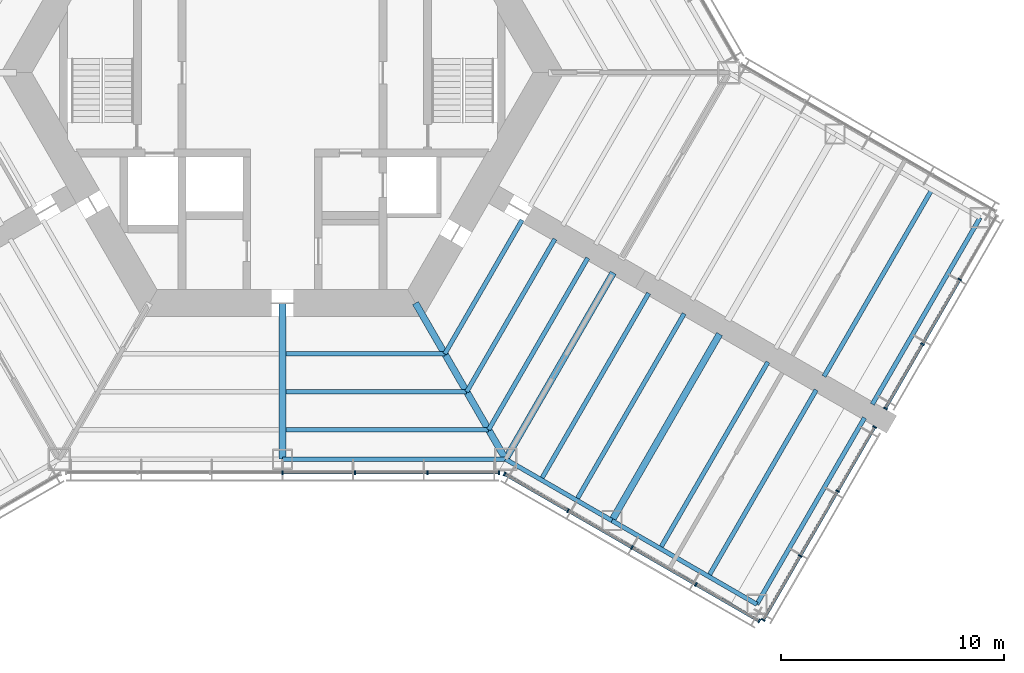
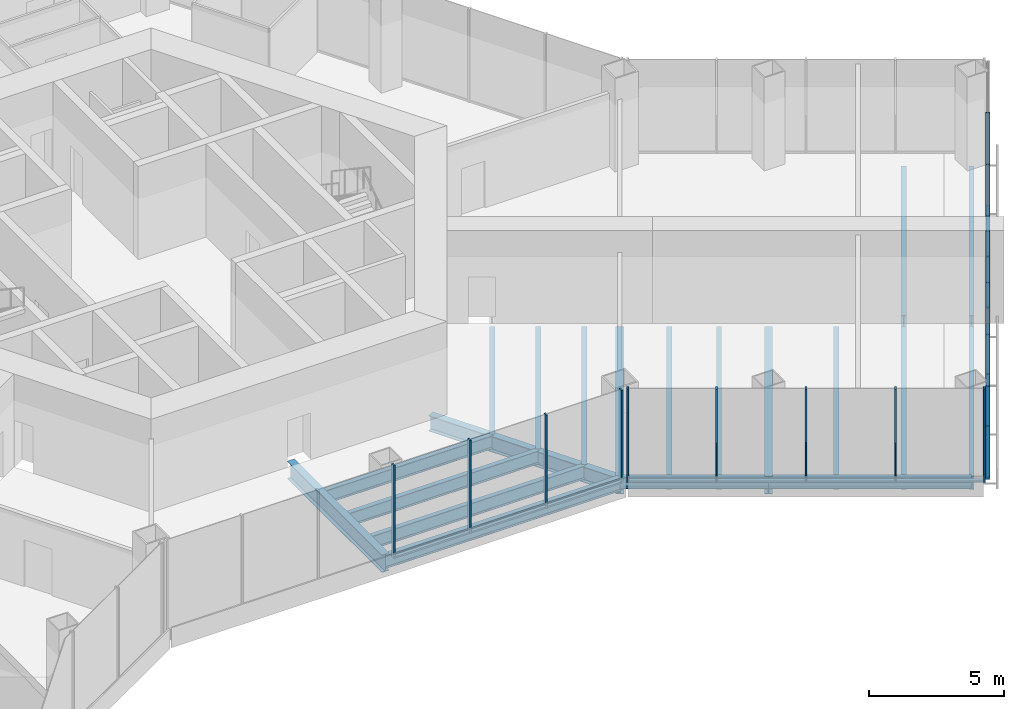
# One storey, part 4 of 16: 28 members, 20 beams, 4 elements without a shape of their own.
"""IFC4 building model written with IfcOpenShell, lengths in metres."""

from ifc_helpers import new_model, si_unit, direction, frame, origin, origin_2d, place, context, subcontext, project, spatial, rectangle, i_section, extrude, material, material_profile, profile_set, type_object, element, aggregate, save


model = new_model("IFC4")

# Units and contexts
model_context = context("Model", 3, precision=1e-05, world=origin(), true_north=direction((0.0, 1.0)))
body_context = subcontext(model_context, "Body", "Model", "MODEL_VIEW")
ifc_project = project(units=[si_unit("LENGTHUNIT", "METRE"), si_unit("AREAUNIT", "SQUARE_METRE"), si_unit("VOLUMEUNIT", "CUBIC_METRE"), si_unit("PLANEANGLEUNIT", "RADIAN"), si_unit("MASSUNIT", "GRAM", prefix="KILO")], contexts=[model_context])

# Site, building, storey
site_placement = place(None, origin())
site = spatial("IfcSite", under=ifc_project, at=site_placement, CompositionType="ELEMENT")
building_placement = place(site_placement, origin())
building = spatial("IfcBuilding", under=site, at=building_placement, Name="Kasaneha Research Tower", CompositionType="ELEMENT")
storey_placement = place(building_placement, frame((0.0, 0.0, 14.199951171875)))
storey = spatial("IfcBuildingStorey", under=building, at=storey_placement, Name="L04", CompositionType="ELEMENT", Elevation=14.199951171875)

# Beams
ifc_material_1 = material(Name="Steel SN490B", Category="steel")
ifc_material_profile_1 = material_profile(ifc_material_1, i_section(OverallWidth=0.199951171875, OverallDepth=0.60009765625, WebThickness=0.010986328125, FlangeThickness=0.01708984375, FilletRadius=0.012939453125, at=origin_2d()), Name="H-600x200x11x17")
ifc_profile_set_1 = profile_set([ifc_material_profile_1], Name="Steel SN490B")
beam_type_1 = type_object("IfcBeamType", Name="B1-1 secondary beam H-600x200x11x17", PredefinedType="JOIST", material=ifc_profile_set_1)
beam_1_placement = place(storey_placement, frame((7.274658203125, -12.60009765625, -0.5), z_axis=(-1.0, 0.0, 0.0), x_axis=(0.0, -1.0, 0.0)))
element("IfcBeam", 1, at=beam_1_placement, inside=storey, type_object=beam_type_1, Name="Secondary beam RS270R1 L04", PredefinedType="JOIST", context=body_context, shape_type="SweptSolid", body=[
    extrude(i_section(OverallWidth=0.199951171875, OverallDepth=0.60009765625, WebThickness=0.010986328125, FlangeThickness=0.01708984375, FilletRadius=0.012939453125, at=origin_2d()), origin(), (0.0, 0.0, 1.0), 7.124755859375),
])
beam_2_placement = place(storey_placement, frame((8.256103515625, -14.300048828125, -0.5), z_axis=(-1.0, 0.0, 0.0), x_axis=(0.0, -1.0, 0.0)))
element("IfcBeam", 2, at=beam_2_placement, inside=storey, type_object=beam_type_1, Name="Secondary beam RS270R2 L04", PredefinedType="JOIST", context=body_context, shape_type="SweptSolid", body=[
    extrude(i_section(OverallWidth=0.199951171875, OverallDepth=0.60009765625, WebThickness=0.010986328125, FlangeThickness=0.01708984375, FilletRadius=0.012939453125, at=origin_2d()), origin(), (0.0, 0.0, 1.0), 8.106201171875),
])
beam_3_placement = place(storey_placement, frame((9.237548828125, -16.0, -0.5), z_axis=(-1.0, 0.0, 0.0), x_axis=(0.0, -1.0, 0.0)))
element("IfcBeam", 3, at=beam_3_placement, inside=storey, type_object=beam_type_1, Name="Secondary beam RS270R3 L04", PredefinedType="JOIST", context=body_context, shape_type="SweptSolid", body=[
    extrude(i_section(OverallWidth=0.199951171875, OverallDepth=0.60009765625, WebThickness=0.010986328125, FlangeThickness=0.01708984375, FilletRadius=0.012939453125, at=origin_2d()), origin(), (0.0, 0.0, 1.0), 9.087646484375),
])
beam_4_placement = place(storey_placement, frame((7.274658203125, -12.60009765625, -0.5), z_axis=(0.499972710878, 0.866041158593, 0.0), x_axis=(-0.866041158593, 0.499972710878, 0.0)))
element("IfcBeam", 4, at=beam_4_placement, inside=storey, type_object=beam_type_1, Name="Secondary beam RS330L1 L04", PredefinedType="JOIST", context=body_context, shape_type="SweptSolid", body=[
    extrude(i_section(OverallWidth=0.199951171875, OverallDepth=0.60009765625, WebThickness=0.010986328125, FlangeThickness=0.01708984375, FilletRadius=0.012939453125, at=origin_2d()), origin(), (0.0, 0.0, 1.0), 6.9248046875),
])
beam_5_placement = place(storey_placement, frame((8.256103515625, -14.300048828125, -0.5), z_axis=(0.500004902938, 0.866022573054, 0.0), x_axis=(-0.866022573054, 0.500004902938, 0.0)))
element("IfcBeam", 5, at=beam_5_placement, inside=storey, type_object=beam_type_1, Name="Secondary beam RS330L2 L04", PredefinedType="JOIST", context=body_context, shape_type="SweptSolid", body=[
    extrude(i_section(OverallWidth=0.199951171875, OverallDepth=0.60009765625, WebThickness=0.010986328125, FlangeThickness=0.01708984375, FilletRadius=0.012939453125, at=origin_2d()), origin(), (0.0, 0.0, 1.0), 7.90625),
])
beam_6_placement = place(storey_placement, frame((9.237548828125, -16.0, -0.5), z_axis=(0.500009382636, 0.866019986649, 0.0), x_axis=(-0.866019986649, 0.500009382636, 0.0)))
element("IfcBeam", 6, at=beam_6_placement, inside=storey, type_object=beam_type_1, Name="Secondary beam RS330L3 L04", PredefinedType="JOIST", context=body_context, shape_type="SweptSolid", body=[
    extrude(i_section(OverallWidth=0.199951171875, OverallDepth=0.60009765625, WebThickness=0.010986328125, FlangeThickness=0.01708984375, FilletRadius=0.012939453125, at=origin_2d()), origin(), (0.0, 0.0, 1.0), 8.887451171875),
])
ifc_material_2 = material(Name="Steel SN490B", Category="steel")
ifc_material_profile_2 = material_profile(ifc_material_2, i_section(OverallWidth=0.198974609375, OverallDepth=0.595947265625, WebThickness=0.010009765625, FlangeThickness=0.014892578125, FilletRadius=0.012939453125, at=origin_2d()), Name="H-596x199x10x15")
ifc_profile_set_2 = profile_set([ifc_material_profile_2], Name="Steel SN490B")
beam_type_2 = type_object("IfcBeamType", Name="B2-1 secondary beam H-596x199x10x15", PredefinedType="JOIST", material=ifc_profile_set_2)
for number, where, z_axis, x_axis, name in (
    (7, (11.587646484375, -18.237060546875, -0.498046875), (0.50000569793, 0.866022114058, 0.0), (-0.866022114058, 0.50000569793, 0.0), "Secondary beam WBCP1 L04"),
    (8, (13.175537109375, -19.15380859375, -0.498046875), (0.499994742786, 0.866028439017, 0.0), (-0.866028439017, 0.499994742786, 0.0), "Secondary beam WBCP2 L04"),
    (9, (16.92822265625, -21.320556640625, -0.498046875), (0.499994742786, 0.866028439017, 0.0), (-0.866028439017, 0.499994742786, 0.0), "Secondary beam WBCP3 L04"),
    (10, (19.09326171875, -22.570556640625, -0.498046875), (0.499994742786, 0.866028439017, 0.0), (-0.866028439017, 0.499994742786, 0.0), "Secondary beam WBCP4 L04"),
    (11, (29.09326171875, -5.25, -0.498046875), (-0.499994742786, -0.866028439017, 0.0), (0.866028439017, -0.499994742786, 0.0), "Secondary beam WBCN4 L04"),
):
    element("IfcBeam", number, at=place(storey_placement, frame(where, z_axis=z_axis, x_axis=x_axis)), inside=storey, type_object=beam_type_2, Name=name, PredefinedType="JOIST", context=body_context, shape_type="SweptSolid", body=[
        extrude(i_section(OverallWidth=0.198974609375, OverallDepth=0.595947265625, WebThickness=0.010009765625, FlangeThickness=0.014892578125, FilletRadius=0.012939453125, at=origin_2d()), origin(), (0.0, 0.0, 1.0), 9.64990234375),
    ])

# Curtain wall, members
ifc_material_3 = material(Name="Glass and aluminium", Category="aluminium")
curtain_wall_type = type_object("IfcCurtainWallType", Name="Wet laboratory curtain wall", PredefinedType="USERDEFINED", material=ifc_material_3)
curtain_wall_1_placement = place(storey_placement, origin())
curtain_wall_1 = element("IfcCurtainWall", 12, at=curtain_wall_1_placement, inside=storey, type_object=curtain_wall_type, Name="CW-L1 L04 run 02a", ObjectType="UNITISED CURTAIN WALL", PredefinedType="USERDEFINED")
ifc_material_4 = material(Name="Aluminium 6063-T6", Category="aluminium")
ifc_material_profile_3 = material_profile(ifc_material_4, rectangle(XDim=0.06494140625, YDim=0.179931640625, at=origin_2d()), Name="CW-L1 mullion 65x180")
ifc_profile_set_3 = profile_set([ifc_material_profile_3], Name="Aluminium 6063-T6")
member_type_1 = type_object("IfcMemberType", Name="CW-L1 mullion", PredefinedType="MULLION", material=ifc_profile_set_3)
member_1_placement = place(storey_placement, frame((0.0, -17.92041015625, 0.0), z_axis=(0.0, 0.0, 1.0), x_axis=(1.0, 0.0, 0.0)))
member_1 = element("IfcMember", 13, at=member_1_placement, type_object=member_type_1, Name="CW-L1 mullion 4", PredefinedType="MULLION", context=body_context, shape_type="SweptSolid", body=[
    extrude(rectangle(XDim=0.06494140625, YDim=0.179931640625, at=origin_2d()), origin(), (0.0, 0.0, 1.0), 4.199951171875),
])
member_2_placement = place(storey_placement, frame((3.246337890625, -17.92041015625, 0.0), z_axis=(0.0, 0.0, 1.0), x_axis=(1.0, 0.0, 0.0)))
member_2 = element("IfcMember", 14, at=member_2_placement, type_object=member_type_1, Name="CW-L1 mullion 5", PredefinedType="MULLION", context=body_context, shape_type="SweptSolid", body=[
    extrude(rectangle(XDim=0.06494140625, YDim=0.179931640625, at=origin_2d()), origin(), (0.0, 0.0, 1.0), 4.199951171875),
])
member_3_placement = place(storey_placement, frame((6.492919921875, -17.92041015625, 0.0), z_axis=(0.0, 0.0, 1.0), x_axis=(1.0, 0.0, 0.0)))
member_3 = element("IfcMember", 15, at=member_3_placement, type_object=member_type_1, Name="CW-L1 mullion 6", PredefinedType="MULLION", context=body_context, shape_type="SweptSolid", body=[
    extrude(rectangle(XDim=0.06494140625, YDim=0.179931640625, at=origin_2d()), origin(), (0.0, 0.0, 1.0), 4.199951171875),
])
member_4_placement = place(storey_placement, frame((9.706787109375, -17.92041015625, 0.0), z_axis=(0.0, 0.0, 1.0), x_axis=(1.0, 0.0, 0.0)))
member_4 = element("IfcMember", 16, at=member_4_placement, type_object=member_type_1, Name="CW-L1 mullion 7", PredefinedType="MULLION", context=body_context, shape_type="SweptSolid", body=[
    extrude(rectangle(XDim=0.06494140625, YDim=0.179931640625, at=origin_2d()), origin(), (0.0, 0.0, 1.0), 4.199951171875),
])

curtain_wall_2_placement = place(storey_placement, origin())
curtain_wall_2 = element("IfcCurtainWall", 17, at=curtain_wall_2_placement, inside=storey, type_object=curtain_wall_type, Name="CW-L1 L04 run 03a", ObjectType="UNITISED CURTAIN WALL", PredefinedType="USERDEFINED")
member_5_placement = place(storey_placement, frame((9.953857421875, -17.98681640625, 0.0), z_axis=(0.0, 0.0, 1.0), x_axis=(0.866025411464, -0.499999986699, 0.0)))
member_5 = element("IfcMember", 18, at=member_5_placement, type_object=member_type_1, Name="CW-L1 mullion 1", PredefinedType="MULLION", context=body_context, shape_type="SweptSolid", body=[
    extrude(rectangle(XDim=0.06494140625, YDim=0.179931640625, at=origin_2d()), origin(), (0.0, 0.0, 1.0), 4.199951171875),
])
member_6_placement = place(storey_placement, frame((12.792236328125, -19.62548828125, 0.0), z_axis=(0.0, 0.0, 1.0), x_axis=(0.866025411464, -0.499999986699, 0.0)))
member_6 = element("IfcMember", 19, at=member_6_placement, type_object=member_type_1, Name="CW-L1 mullion 2", PredefinedType="MULLION", context=body_context, shape_type="SweptSolid", body=[
    extrude(rectangle(XDim=0.06494140625, YDim=0.179931640625, at=origin_2d()), origin(), (0.0, 0.0, 1.0), 4.199951171875),
])
member_7_placement = place(storey_placement, frame((15.65869140625, -21.2802734375, 0.0), z_axis=(0.0, 0.0, 1.0), x_axis=(0.866025411464, -0.499999986699, 0.0)))
member_7 = element("IfcMember", 20, at=member_7_placement, type_object=member_type_1, Name="CW-L1 mullion 3", PredefinedType="MULLION", context=body_context, shape_type="SweptSolid", body=[
    extrude(rectangle(XDim=0.06494140625, YDim=0.179931640625, at=origin_2d()), origin(), (0.0, 0.0, 1.0), 4.199951171875),
])
member_8_placement = place(storey_placement, frame((18.52490234375, -22.935302734375, 0.0), z_axis=(0.0, 0.0, 1.0), x_axis=(0.866025411464, -0.499999986699, 0.0)))
member_8 = element("IfcMember", 21, at=member_8_placement, type_object=member_type_1, Name="CW-L1 mullion 4", PredefinedType="MULLION", context=body_context, shape_type="SweptSolid", body=[
    extrude(rectangle(XDim=0.06494140625, YDim=0.179931640625, at=origin_2d()), origin(), (0.0, 0.0, 1.0), 4.199951171875),
])
member_9_placement = place(storey_placement, frame((21.36328125, -24.573974609375, 0.0), z_axis=(0.0, 0.0, 1.0), x_axis=(0.866025411464, -0.499999986699, 0.0)))
member_9 = element("IfcMember", 22, at=member_9_placement, type_object=member_type_1, Name="CW-L1 mullion 5", PredefinedType="MULLION", context=body_context, shape_type="SweptSolid", body=[
    extrude(rectangle(XDim=0.06494140625, YDim=0.179931640625, at=origin_2d()), origin(), (0.0, 0.0, 1.0), 4.199951171875),
])

curtain_wall_3_placement = place(storey_placement, origin())
curtain_wall_3 = element("IfcCurtainWall", 23, at=curtain_wall_3_placement, inside=storey, type_object=curtain_wall_type, Name="CW-L1 L04 run 04a", ObjectType="UNITISED CURTAIN WALL", PredefinedType="USERDEFINED")
member_10_placement = place(storey_placement, frame((21.544189453125, -24.525390625, 0.0), z_axis=(0.0, 0.0, 1.0), x_axis=(0.500000011442, 0.866025397178, 0.0)))
member_10 = element("IfcMember", 24, at=member_10_placement, type_object=member_type_1, Name="CW-L1 mullion 1", PredefinedType="MULLION", context=body_context, shape_type="SweptSolid", body=[
    extrude(rectangle(XDim=0.06494140625, YDim=0.179931640625, at=origin_2d()), origin(), (0.0, 0.0, 1.0), 4.199951171875),
])
member_11_placement = place(storey_placement, frame((23.202880859375, -21.65234375, 0.0), z_axis=(0.0, 0.0, 1.0), x_axis=(0.500000011442, 0.866025397178, 0.0)))
member_11 = element("IfcMember", 25, at=member_11_placement, type_object=member_type_1, Name="CW-L1 mullion 2", PredefinedType="MULLION", context=body_context, shape_type="SweptSolid", body=[
    extrude(rectangle(XDim=0.06494140625, YDim=0.179931640625, at=origin_2d()), origin(), (0.0, 0.0, 1.0), 4.199951171875),
])
member_12_placement = place(storey_placement, frame((24.8779296875, -18.751220703125, 0.0), z_axis=(0.0, 0.0, 1.0), x_axis=(0.500000011442, 0.866025397178, 0.0)))
member_12 = element("IfcMember", 26, at=member_12_placement, type_object=member_type_1, Name="CW-L1 mullion 3", PredefinedType="MULLION", context=body_context, shape_type="SweptSolid", body=[
    extrude(rectangle(XDim=0.06494140625, YDim=0.179931640625, at=origin_2d()), origin(), (0.0, 0.0, 1.0), 4.199951171875),
])
member_13_placement = place(storey_placement, frame((26.53662109375, -15.878173828125, 0.0), z_axis=(0.0, 0.0, 1.0), x_axis=(0.500000011442, 0.866025397178, 0.0)))
member_13 = element("IfcMember", 27, at=member_13_placement, type_object=member_type_1, Name="CW-L1 mullion 4", PredefinedType="MULLION", context=body_context, shape_type="SweptSolid", body=[
    extrude(rectangle(XDim=0.06494140625, YDim=0.179931640625, at=origin_2d()), origin(), (0.0, 0.0, 1.0), 4.199951171875),
])

curtain_wall_4_placement = place(storey_placement, origin())
curtain_wall_4 = element("IfcCurtainWall", 28, at=curtain_wall_4_placement, inside=storey, type_object=curtain_wall_type, Name="CW-L1 L04 run 05a", ObjectType="UNITISED CURTAIN WALL", PredefinedType="USERDEFINED")
member_14_placement = place(storey_placement, frame((27.019287109375, -15.04248046875, 0.0), z_axis=(0.0, 0.0, 1.0), x_axis=(0.500000011442, 0.866025397178, 0.0)))
member_14 = element("IfcMember", 29, at=member_14_placement, type_object=member_type_1, Name="CW-L1 mullion 1", PredefinedType="MULLION", context=body_context, shape_type="SweptSolid", body=[
    extrude(rectangle(XDim=0.06494140625, YDim=0.179931640625, at=origin_2d()), origin(), (0.0, 0.0, 1.0), 4.199951171875),
])
member_15_placement = place(storey_placement, frame((28.677978515625, -12.16943359375, 0.0), z_axis=(0.0, 0.0, 1.0), x_axis=(0.500000011442, 0.866025397178, 0.0)))
member_15 = element("IfcMember", 30, at=member_15_placement, type_object=member_type_1, Name="CW-L1 mullion 2", PredefinedType="MULLION", context=body_context, shape_type="SweptSolid", body=[
    extrude(rectangle(XDim=0.06494140625, YDim=0.179931640625, at=origin_2d()), origin(), (0.0, 0.0, 1.0), 4.199951171875),
])
member_16_placement = place(storey_placement, frame((30.35302734375, -9.26806640625, 0.0), z_axis=(0.0, 0.0, 1.0), x_axis=(0.500000011442, 0.866025397178, 0.0)))
member_16 = element("IfcMember", 31, at=member_16_placement, type_object=member_type_1, Name="CW-L1 mullion 3", PredefinedType="MULLION", context=body_context, shape_type="SweptSolid", body=[
    extrude(rectangle(XDim=0.06494140625, YDim=0.179931640625, at=origin_2d()), origin(), (0.0, 0.0, 1.0), 4.199951171875),
])

# Member
ifc_material_5 = material(Name="Aluminium 6063-T6", Category="aluminium")
ifc_material_profile_4 = material_profile(ifc_material_5, rectangle(XDim=0.139892578125, YDim=0.06494140625, at=origin_2d()), Name="CW-L1 transom 140x65")
ifc_profile_set_4 = profile_set([ifc_material_profile_4], Name="Aluminium 6063-T6")
member_type_2 = type_object("IfcMemberType", Name="CW-L1 transom", PredefinedType="USERDEFINED", material=ifc_profile_set_4)
member_17_placement = place(storey_placement, frame((0.032470703125, -17.92041015625, 0.032470703125), z_axis=(1.0, 0.0, 0.0), x_axis=(0.0, 1.0, 0.0)))
member_17 = element("IfcMember", 32, at=member_17_placement, type_object=member_type_2, Name="CW-L1 transom 4", ObjectType="TRANSOM", PredefinedType="USERDEFINED", context=body_context, shape_type="SweptSolid", body=[
    extrude(rectangle(XDim=0.139892578125, YDim=0.06494140625, at=origin_2d()), origin(), (0.0, 0.0, 1.0), 3.181396484375),
])

member_18_placement = place(storey_placement, frame((3.27880859375, -17.92041015625, 0.032470703125), z_axis=(1.0, 0.0, 0.0), x_axis=(0.0, 1.0, 0.0)))
member_18 = element("IfcMember", 33, at=member_18_placement, type_object=member_type_2, Name="CW-L1 transom 5", ObjectType="TRANSOM", PredefinedType="USERDEFINED", context=body_context, shape_type="SweptSolid", body=[
    extrude(rectangle(XDim=0.139892578125, YDim=0.06494140625, at=origin_2d()), origin(), (0.0, 0.0, 1.0), 3.181396484375),
])

member_19_placement = place(storey_placement, frame((6.525390625, -17.92041015625, 0.032470703125), z_axis=(1.0, 0.0, 0.0), x_axis=(0.0, 1.0, 0.0)))
member_19 = element("IfcMember", 34, at=member_19_placement, type_object=member_type_2, Name="CW-L1 transom 6", ObjectType="TRANSOM", PredefinedType="USERDEFINED", context=body_context, shape_type="SweptSolid", body=[
    extrude(rectangle(XDim=0.139892578125, YDim=0.06494140625, at=origin_2d()), origin(), (0.0, 0.0, 1.0), 3.14892578125),
])

aggregate(curtain_wall_1, [member_1, member_2, member_3, member_4, member_17, member_18, member_19])

member_20_placement = place(storey_placement, frame((9.982177734375, -18.0029296875, 0.032470703125), z_axis=(0.866022320763, -0.500005339912, 0.0), x_axis=(0.500005339912, 0.866022320763, 0.0)))
member_20 = element("IfcMember", 35, at=member_20_placement, type_object=member_type_2, Name="CW-L1 transom 1", ObjectType="TRANSOM", PredefinedType="USERDEFINED", context=body_context, shape_type="SweptSolid", body=[
    extrude(rectangle(XDim=0.139892578125, YDim=0.06494140625, at=origin_2d()), origin(), (0.0, 0.0, 1.0), 3.21240234375),
])

member_21_placement = place(storey_placement, frame((12.8203125, -19.6416015625, 0.032470703125), z_axis=(0.866002649306, -0.500039409842, 0.0), x_axis=(0.500039409842, 0.866002649306, 0.0)))
member_21 = element("IfcMember", 36, at=member_21_placement, type_object=member_type_2, Name="CW-L1 transom 2", ObjectType="TRANSOM", PredefinedType="USERDEFINED", context=body_context, shape_type="SweptSolid", body=[
    extrude(rectangle(XDim=0.139892578125, YDim=0.06494140625, at=origin_2d()), origin(), (0.0, 0.0, 1.0), 3.244873046875),
])

member_22_placement = place(storey_placement, frame((15.686767578125, -21.296630859375, 0.032470703125), z_axis=(0.866035229914, -0.499982980259, 0.0), x_axis=(0.499982980259, 0.866035229914, 0.0)))
member_22 = element("IfcMember", 37, at=member_22_placement, type_object=member_type_2, Name="CW-L1 transom 3", ObjectType="TRANSOM", PredefinedType="USERDEFINED", context=body_context, shape_type="SweptSolid", body=[
    extrude(rectangle(XDim=0.139892578125, YDim=0.06494140625, at=origin_2d()), origin(), (0.0, 0.0, 1.0), 3.24462890625),
])

member_23_placement = place(storey_placement, frame((18.55322265625, -22.951416015625, 0.032470703125), z_axis=(0.86600331843, -0.500038251005, 0.0), x_axis=(0.500038251005, 0.86600331843, 0.0)))
member_23 = element("IfcMember", 38, at=member_23_placement, type_object=member_type_2, Name="CW-L1 transom 4", ObjectType="TRANSOM", PredefinedType="USERDEFINED", context=body_context, shape_type="SweptSolid", body=[
    extrude(rectangle(XDim=0.139892578125, YDim=0.06494140625, at=origin_2d()), origin(), (0.0, 0.0, 1.0), 3.212158203125),
])

aggregate(curtain_wall_2, [member_5, member_6, member_7, member_8, member_9, member_20, member_21, member_22, member_23])

member_24_placement = place(storey_placement, frame((21.560546875, -24.497314453125, 0.032470703125), z_axis=(0.499973687205, 0.866040594951, 0.0), x_axis=(-0.866040594951, 0.499973687205, 0.0)))
member_24 = element("IfcMember", 39, at=member_24_placement, type_object=member_type_2, Name="CW-L1 transom 1", ObjectType="TRANSOM", PredefinedType="USERDEFINED", context=body_context, shape_type="SweptSolid", body=[
    extrude(rectangle(XDim=0.139892578125, YDim=0.06494140625, at=origin_2d()), origin(), (0.0, 0.0, 1.0), 3.252685546875),
])

member_25_placement = place(storey_placement, frame((23.21923828125, -21.624267578125, 0.032470703125), z_axis=(0.50000765355, 0.86602098496, 0.0), x_axis=(-0.86602098496, 0.50000765355, 0.0)))
member_25 = element("IfcMember", 40, at=member_25_placement, type_object=member_type_2, Name="CW-L1 transom 2", ObjectType="TRANSOM", PredefinedType="USERDEFINED", context=body_context, shape_type="SweptSolid", body=[
    extrude(rectangle(XDim=0.139892578125, YDim=0.06494140625, at=origin_2d()), origin(), (0.0, 0.0, 1.0), 3.28515625),
])

member_26_placement = place(storey_placement, frame((24.894287109375, -18.722900390625, 0.032470703125), z_axis=(0.500006189695, 0.866021830133, 0.0), x_axis=(-0.866021830133, 0.500006189695, 0.0)))
member_26 = element("IfcMember", 41, at=member_26_placement, type_object=member_type_2, Name="CW-L1 transom 3", ObjectType="TRANSOM", PredefinedType="USERDEFINED", context=body_context, shape_type="SweptSolid", body=[
    extrude(rectangle(XDim=0.139892578125, YDim=0.06494140625, at=origin_2d()), origin(), (0.0, 0.0, 1.0), 3.25244140625),
])

aggregate(curtain_wall_3, [member_10, member_11, member_12, member_13, member_24, member_25, member_26])

member_27_placement = place(storey_placement, frame((27.035400390625, -15.01416015625, 0.032470703125), z_axis=(0.500006189695, 0.866021830133, 0.0), x_axis=(-0.866021830133, 0.500006189695, 0.0)))
member_27 = element("IfcMember", 42, at=member_27_placement, type_object=member_type_2, Name="CW-L1 transom 1", ObjectType="TRANSOM", PredefinedType="USERDEFINED", context=body_context, shape_type="SweptSolid", body=[
    extrude(rectangle(XDim=0.139892578125, YDim=0.06494140625, at=origin_2d()), origin(), (0.0, 0.0, 1.0), 3.25244140625),
])

member_28_placement = place(storey_placement, frame((28.694091796875, -12.14111328125, 0.032470703125), z_axis=(0.500039835994, 0.866002403241, 0.0), x_axis=(-0.866002403241, 0.500039835994, 0.0)))
member_28 = element("IfcMember", 43, at=member_28_placement, type_object=member_type_2, Name="CW-L1 transom 2", ObjectType="TRANSOM", PredefinedType="USERDEFINED", context=body_context, shape_type="SweptSolid", body=[
    extrude(rectangle(XDim=0.139892578125, YDim=0.06494140625, at=origin_2d()), origin(), (0.0, 0.0, 1.0), 3.284912109375),
])

aggregate(curtain_wall_4, [member_14, member_15, member_16, member_27, member_28])

# Beams
ifc_material_6 = material(Name="Steel SN490B", Category="steel")
ifc_material_profile_5 = material_profile(ifc_material_6, i_section(OverallWidth=0.300048828125, OverallDepth=0.699951171875, WebThickness=0.012939453125, FlangeThickness=0.02392578125, FilletRadius=0.01806640625, at=origin_2d()), Name="H-700x300x13x24")
ifc_profile_set_5 = profile_set([ifc_material_profile_5], Name="Steel SN490B")
beam_type_3 = type_object("IfcBeamType", Name="G1-1 radial girder H-700x300x13x24", PredefinedType="BEAM", material=ifc_profile_set_5)
beam_7_placement = place(storey_placement, frame((5.961181640625, -10.324951171875, -0.550048828125), z_axis=(0.49999105496, -0.866030568144, 0.0), x_axis=(0.866030568144, 0.49999105496, 0.0)))
element("IfcBeam", 44, at=beam_7_placement, inside=storey, type_object=beam_type_3, Name="Radial girder RV300 L04", PredefinedType="BEAM", context=body_context, shape_type="SweptSolid", body=[
    extrude(i_section(OverallWidth=0.300048828125, OverallDepth=0.699951171875, WebThickness=0.012939453125, FlangeThickness=0.02392578125, FilletRadius=0.01806640625, at=origin_2d()), origin(), (0.0, 0.0, 1.0), 8.077880859375),
])
ifc_material_7 = material(Name="Steel SN490B", Category="steel")
ifc_material_profile_6 = material_profile(ifc_material_7, i_section(OverallWidth=0.300048828125, OverallDepth=0.800048828125, WebThickness=0.013916015625, FlangeThickness=0.02587890625, FilletRadius=0.01806640625, at=origin_2d()), Name="H-800x300x14x26")
ifc_profile_set_6 = profile_set([ifc_material_profile_6], Name="Steel SN490B")
beam_type_4 = type_object("IfcBeamType", Name="G2-1 radial girder H-800x300x14x26", PredefinedType="BEAM", material=ifc_profile_set_6)
beam_8_placement = place(storey_placement, frame((0.0, -10.324951171875, -0.599853515625), z_axis=(0.0, -1.0, 0.0), x_axis=(1.0, 0.0, 0.0)))
element("IfcBeam", 45, at=beam_8_placement, inside=storey, type_object=beam_type_4, Name="Radial girder RM270 L04", PredefinedType="BEAM", context=body_context, shape_type="SweptSolid", body=[
    extrude(i_section(OverallWidth=0.300048828125, OverallDepth=0.800048828125, WebThickness=0.013916015625, FlangeThickness=0.02587890625, FilletRadius=0.01806640625, at=origin_2d()), origin(), (0.0, 0.0, 1.0), 6.99560546875),
])
ifc_material_8 = material(Name="Steel SN490B", Category="steel")
ifc_material_profile_7 = material_profile(ifc_material_8, i_section(OverallWidth=0.300048828125, OverallDepth=0.7919921875, WebThickness=0.013916015625, FlangeThickness=0.02197265625, FilletRadius=0.01806640625, at=origin_2d()), Name="H-792x300x14x22")
ifc_profile_set_7 = profile_set([ifc_material_profile_7], Name="Steel SN490B")
beam_type_5 = type_object("IfcBeamType", Name="G3-1 plate edge girder H-792x300x14x22", PredefinedType="BEAM", material=ifc_profile_set_7)
beam_9_placement = place(storey_placement, frame((10.0, -17.320556640625, -0.595947265625), z_axis=(0.499994742786, 0.866028439017, 0.0), x_axis=(-0.866028439017, 0.499994742786, 0.0)))
element("IfcBeam", 46, at=beam_9_placement, inside=storey, type_object=beam_type_5, Name="Plate edge girder PECP L04", PredefinedType="BEAM", context=body_context, shape_type="SweptSolid", body=[
    extrude(i_section(OverallWidth=0.300048828125, OverallDepth=0.7919921875, WebThickness=0.013916015625, FlangeThickness=0.02197265625, FilletRadius=0.01806640625, at=origin_2d()), origin(), (0.0, 0.0, 1.0), 9.64990234375),
])
ifc_material_9 = material(Name="Steel SN490B", Category="steel")
ifc_material_profile_8 = material_profile(ifc_material_9, i_section(OverallWidth=0.300048828125, OverallDepth=0.800048828125, WebThickness=0.013916015625, FlangeThickness=0.02587890625, FilletRadius=0.01806640625, at=origin_2d()), Name="H-800x300x14x26")
ifc_profile_set_8 = profile_set([ifc_material_profile_8], Name="Steel SN490B")
beam_type_6 = type_object("IfcBeamType", Name="G4-1 wing girder H-800x300x14x26", PredefinedType="BEAM", material=ifc_profile_set_8)
beam_10_placement = place(storey_placement, frame((14.76318359375, -20.070556640625, -0.599853515625), z_axis=(0.499994742786, 0.866028439017, 0.0), x_axis=(-0.866028439017, 0.499994742786, 0.0)))
element("IfcBeam", 47, at=beam_10_placement, inside=storey, type_object=beam_type_6, Name="Wing girder WGCP L04", PredefinedType="BEAM", context=body_context, shape_type="SweptSolid", body=[
    extrude(i_section(OverallWidth=0.300048828125, OverallDepth=0.800048828125, WebThickness=0.013916015625, FlangeThickness=0.02587890625, FilletRadius=0.01806640625, at=origin_2d()), origin(), (0.0, 0.0, 1.0), 9.64990234375),
])
ifc_material_10 = material(Name="Steel SN490B", Category="steel")
ifc_material_profile_9 = material_profile(ifc_material_10, i_section(OverallWidth=0.199951171875, OverallDepth=0.60009765625, WebThickness=0.010986328125, FlangeThickness=0.01708984375, FilletRadius=0.012939453125, at=origin_2d()), Name="H-600x200x11x17")
ifc_profile_set_9 = profile_set([ifc_material_profile_9], Name="Steel SN490B")
beam_type_7 = type_object("IfcBeamType", Name="SB1-1 spandrel beam H-600x200x11x17", PredefinedType="SPANDREL", material=ifc_profile_set_9)
beam_11_placement = place(storey_placement, frame((10.0, -17.320556640625, -0.5), z_axis=(-1.0, 0.0, 0.0), x_axis=(0.0, -1.0, 0.0)))
element("IfcBeam", 48, at=beam_11_placement, inside=storey, type_object=beam_type_7, Name="Spandrel beam SR270R L04", PredefinedType="SPANDREL", context=body_context, shape_type="SweptSolid", body=[
    extrude(i_section(OverallWidth=0.199951171875, OverallDepth=0.60009765625, WebThickness=0.010986328125, FlangeThickness=0.01708984375, FilletRadius=0.012939453125, at=origin_2d()), origin(), (0.0, 0.0, 1.0), 10.0),
])
ifc_material_11 = material(Name="Steel SN490B", Category="steel")
ifc_material_profile_10 = material_profile(ifc_material_11, i_section(OverallWidth=0.199951171875, OverallDepth=0.5, WebThickness=0.010009765625, FlangeThickness=0.01611328125, FilletRadius=0.012939453125, at=origin_2d()), Name="H-500x200x10x16")
ifc_profile_set_10 = profile_set([ifc_material_profile_10], Name="Steel SN490B")
beam_type_8 = type_object("IfcBeamType", Name="SB2-1 spandrel beam H-500x200x10x16", PredefinedType="SPANDREL", material=ifc_profile_set_10)
beam_12_placement = place(storey_placement, frame((10.0, -17.320556640625, -0.449951171875), z_axis=(0.866027397988, -0.499996545922, 0.0), x_axis=(0.499996545922, 0.866027397988, 0.0)))
element("IfcBeam", 49, at=beam_12_placement, inside=storey, type_object=beam_type_8, Name="Spandrel beam WSCP1 L04", PredefinedType="SPANDREL", context=body_context, shape_type="SweptSolid", body=[
    extrude(i_section(OverallWidth=0.199951171875, OverallDepth=0.5, WebThickness=0.010009765625, FlangeThickness=0.01611328125, FilletRadius=0.012939453125, at=origin_2d()), origin(), (0.0, 0.0, 1.0), 5.5),
])
beam_13_placement = place(storey_placement, frame((14.76318359375, -20.070556640625, -0.449951171875), z_axis=(0.866022959057, -0.500004234368, 0.0), x_axis=(0.500004234368, 0.866022959057, 0.0)))
element("IfcBeam", 50, at=beam_13_placement, inside=storey, type_object=beam_type_8, Name="Spandrel beam WSCP2 L04", PredefinedType="SPANDREL", context=body_context, shape_type="SweptSolid", body=[
    extrude(i_section(OverallWidth=0.199951171875, OverallDepth=0.5, WebThickness=0.010009765625, FlangeThickness=0.01611328125, FilletRadius=0.012939453125, at=origin_2d()), origin(), (0.0, 0.0, 1.0), 7.5),
])
ifc_material_12 = material(Name="Steel SN490B", Category="steel")
ifc_material_profile_11 = material_profile(ifc_material_12, i_section(OverallWidth=0.199951171875, OverallDepth=0.60009765625, WebThickness=0.010986328125, FlangeThickness=0.01708984375, FilletRadius=0.012939453125, at=origin_2d()), Name="H-600x200x11x17")
ifc_profile_set_11 = profile_set([ifc_material_profile_11], Name="Steel SN490B")
beam_type_9 = type_object("IfcBeamType", Name="SB3-1 spandrel beam H-600x200x11x17", PredefinedType="SPANDREL", material=ifc_profile_set_11)
for number, where, z_axis, x_axis, name in (
    (51, (21.25830078125, -23.820556640625, -0.5), (0.499994742786, 0.866028439017, 0.0), (-0.866028439017, 0.499994742786, 0.0), "Spandrel beam WTCP L04"),
    (52, (31.25830078125, -6.5, -0.5), (-0.499994742786, -0.866028439017, 0.0), (0.866028439017, -0.499994742786, 0.0), "Spandrel beam WTCN L04"),
):
    element("IfcBeam", number, at=place(storey_placement, frame(where, z_axis=z_axis, x_axis=x_axis)), inside=storey, type_object=beam_type_9, Name=name, PredefinedType="SPANDREL", context=body_context, shape_type="SweptSolid", body=[
        extrude(i_section(OverallWidth=0.199951171875, OverallDepth=0.60009765625, WebThickness=0.010986328125, FlangeThickness=0.01708984375, FilletRadius=0.012939453125, at=origin_2d()), origin(), (0.0, 0.0, 1.0), 9.64990234375),
    ])

save(model, "model.ifc")
